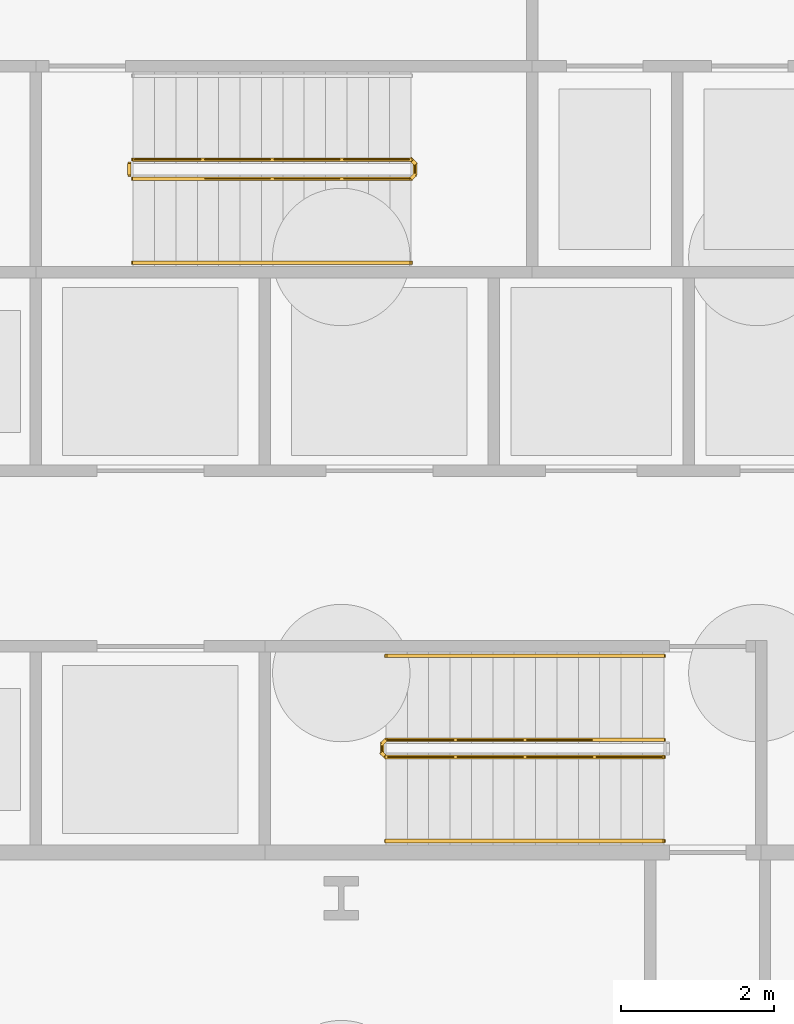
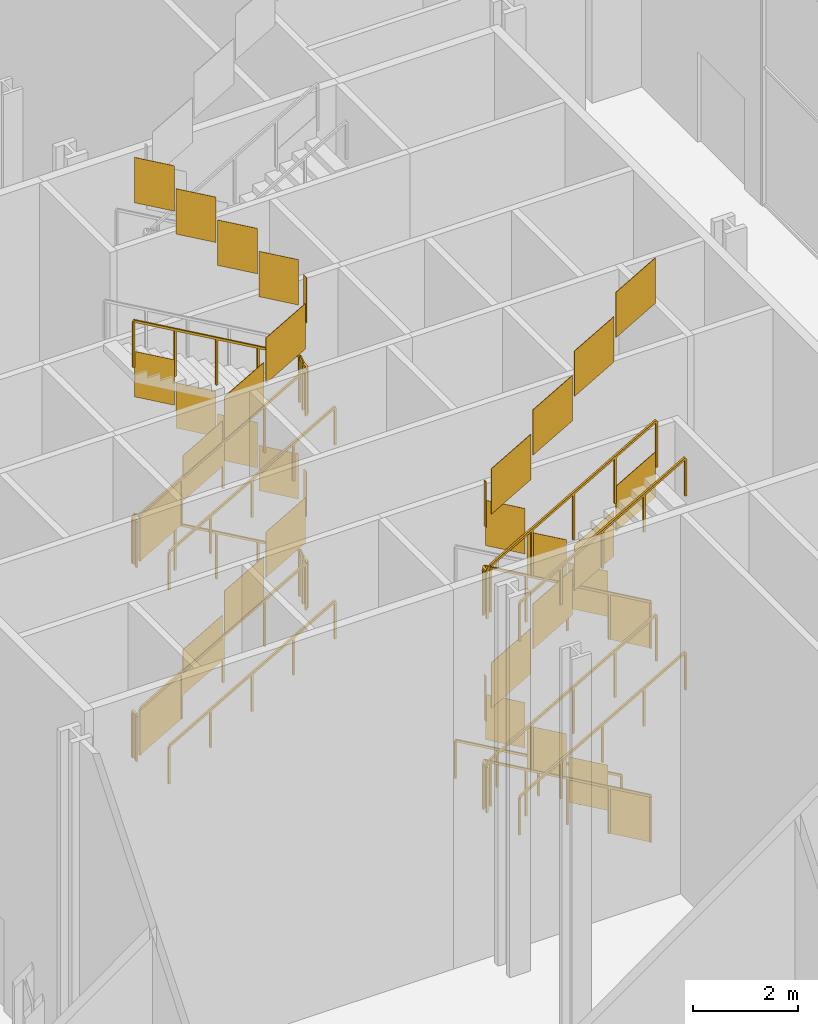
# One storey, part 31 of 38: 11 railings.
"""IFC4 building model written with IfcOpenShell, lengths in metres."""

from ifc_helpers import new_model, si_unit, direction, frame, origin, origin_2d, place, context, subcontext, project, spatial, polyline, rectangle, outline, extrude, material, type_object, element, save


model = new_model("IFC4")

# Units and contexts
model_context = context("Model", 3, precision=1e-05, world=origin(), true_north=direction((0.0, 1.0)))
body_context = subcontext(model_context, "Body", "Model", "MODEL_VIEW")
ifc_project = project(units=[si_unit("LENGTHUNIT", "METRE"), si_unit("AREAUNIT", "SQUARE_METRE"), si_unit("VOLUMEUNIT", "CUBIC_METRE"), si_unit("PLANEANGLEUNIT", "RADIAN"), si_unit("MASSUNIT", "GRAM", prefix="KILO")], contexts=[model_context])

# Site, building, storey
site_placement = place(None, origin())
site = spatial("IfcSite", under=ifc_project, at=site_placement, CompositionType="ELEMENT")
building_placement = place(site_placement, origin())
building = spatial("IfcBuilding", under=site, at=building_placement, Name="Cairn Pilgrim Tower", CompositionType="ELEMENT")
storey_placement = place(building_placement, origin())
storey = spatial("IfcBuildingStorey", under=building, at=storey_placement, Name="L00", CompositionType="ELEMENT", Elevation=0.0)

# Railings
ifc_material = material(Name="Painted steel", Category="steel")
railing_type_1 = type_object("IfcRailingType", Name="STAIR GUARD 1100", PredefinedType="GUARDRAIL", material=ifc_material)
railing_1_placement = place(storey_placement, frame((11.425048828125, -3.925048828125, 0.16064453125)))
element("IfcRailing", 1, at=railing_1_placement, inside=storey, type_object=railing_type_1, Name="L00 ST-A stair guard 1", PredefinedType="GUARDRAIL", context=body_context, shape_type="SweptSolid", body=[
    extrude(rectangle(XDim=0.048095703125, YDim=0.048095703125, at=origin_2d()), frame((0.0, 0.0, 1.076171875), z_axis=(-0.867289372828, 0.0, 0.497804322781), x_axis=(0.0, -1.0, 0.0)), (0.0, 0.0, 1.0), 4.197021484375),
    extrude(rectangle(XDim=0.048095703125, YDim=0.048095703125, at=origin_2d()), frame((-3.64013671875, 0.0, 3.16552734375), z_axis=(-0.705375805398, -0.708833529934, 0.0), x_axis=(0.708833529934, -0.705375805398, 0.0)), (0.0, 0.0, 1.0), 0.070556640625),
    extrude(rectangle(XDim=0.048095703125, YDim=0.048095703125, at=origin_2d()), frame((-3.68994140625, -0.050048828125, 3.16552734375), z_axis=(0.0, -1.0, 0.0), x_axis=(1.0, 0.0, 0.0)), (0.0, 0.0, 1.0), 0.125),
    extrude(rectangle(XDim=0.048095703125, YDim=0.048095703125, at=origin_2d()), frame((-3.68994140625, -0.175048828125, 3.16552734375), z_axis=(0.283937562652, -0.283937562652, 0.915837824634), x_axis=(0.707106781187, 0.707106781187, 0.0)), (0.0, 0.0, 1.0), 0.17529296875),
    extrude(rectangle(XDim=0.048095703125, YDim=0.048095703125, at=origin_2d()), frame((-3.64013671875, -0.224853515625, 3.326171875), z_axis=(0.867289372828, 0.0, 0.497804322781), x_axis=(0.0, 1.0, 0.0)), (0.0, 0.0, 1.0), 4.197021484375),
    extrude(rectangle(XDim=0.0419921875, YDim=0.0419921875, at=origin_2d()), origin(), (0.0, 0.0, 1.0), 1.052001953125),
    extrude(rectangle(XDim=0.0419921875, YDim=0.0419921875, at=origin_2d()), frame((-0.91015625, 0.0, 0.5224609375)), (0.0, 0.0, 1.0), 1.052001953125),
    extrude(rectangle(XDim=0.0419921875, YDim=0.0419921875, at=origin_2d()), frame((-1.820068359375, 0.0, 1.044677734375)), (0.0, 0.0, 1.0), 1.052001953125),
    extrude(rectangle(XDim=0.0419921875, YDim=0.0419921875, at=origin_2d()), frame((-2.72998046875, 0.0, 1.56689453125)), (0.0, 0.0, 1.0), 1.052001953125),
    extrude(rectangle(XDim=0.0419921875, YDim=0.0419921875, at=origin_2d()), frame((-3.64013671875, 0.0, 2.08935546875)), (0.0, 0.0, 1.0), 1.052001953125),
    extrude(rectangle(XDim=0.0419921875, YDim=0.0419921875, at=origin_2d()), frame((-3.68994140625, -0.050048828125, 2.08935546875)), (0.0, 0.0, 1.0), 1.052001953125),
    extrude(rectangle(XDim=0.0419921875, YDim=0.0419921875, at=origin_2d()), frame((-3.68994140625, -0.175048828125, 2.08935546875)), (0.0, 0.0, 1.0), 1.052001953125),
    extrude(rectangle(XDim=0.0419921875, YDim=0.0419921875, at=origin_2d()), frame((-3.64013671875, -0.224853515625, 2.25)), (0.0, 0.0, 1.0), 1.052001953125),
    extrude(rectangle(XDim=0.0419921875, YDim=0.0419921875, at=origin_2d()), frame((-2.72998046875, -0.224853515625, 2.7724609375)), (0.0, 0.0, 1.0), 1.052001953125),
    extrude(rectangle(XDim=0.0419921875, YDim=0.0419921875, at=origin_2d()), frame((-1.820068359375, -0.224853515625, 3.294677734375)), (0.0, 0.0, 1.0), 1.052001953125),
    extrude(rectangle(XDim=0.0419921875, YDim=0.0419921875, at=origin_2d()), frame((-0.91015625, -0.224853515625, 3.81689453125)), (0.0, 0.0, 1.0), 1.052001953125),
    extrude(rectangle(XDim=0.0419921875, YDim=0.0419921875, at=origin_2d()), frame((0.0, -0.224853515625, 4.33935546875)), (0.0, 0.0, 1.0), 1.052001953125),
    extrude(outline(polyline([(0.02099609375, 0.011962890625), (0.88916015625, 0.51025390625), (0.88916015625, 1.562255859375), (0.02099609375, 1.06396484375), (0.02099609375, 0.011962890625)])), frame((0.0, -0.005859375, 0.0), z_axis=(0.0, 1.0, 0.0), x_axis=(-1.0, 0.0, 0.0)), (0.0, 0.0, 1.0), 0.011962890625),
    extrude(outline(polyline([(0.02099609375, 0.534423828125), (0.88916015625, 1.03271484375), (0.88916015625, 2.084716796875), (0.02099609375, 1.58642578125), (0.02099609375, 0.534423828125)])), frame((-0.91015625, -0.005859375, 0.5224609375), z_axis=(0.0, 1.0, 0.0), x_axis=(-1.0, 0.0, 0.0)), (0.0, 0.0, 1.0), 0.011962890625),
    extrude(outline(polyline([(0.02099609375, 1.056640625), (0.88916015625, 1.554931640625), (0.88916015625, 2.60693359375), (0.02099609375, 2.108642578125), (0.02099609375, 1.056640625)])), frame((-1.820068359375, -0.005859375, 1.044677734375), z_axis=(0.0, 1.0, 0.0), x_axis=(-1.0, 0.0, 0.0)), (0.0, 0.0, 1.0), 0.011962890625),
    extrude(outline(polyline([(0.02099609375, 1.5791015625), (0.88916015625, 2.077392578125), (0.88916015625, 3.12939453125), (0.02099609375, 2.631103515625), (0.02099609375, 1.5791015625)])), frame((-2.72998046875, -0.005859375, 1.56689453125), z_axis=(0.0, 1.0, 0.0), x_axis=(-1.0, 0.0, 0.0)), (0.0, 0.0, 1.0), 0.011962890625),
    extrude(outline(polyline([(0.02099609375, 2.08935546875), (0.10400390625, 2.08935546875), (0.10400390625, 3.141357421875), (0.02099609375, 3.141357421875), (0.02099609375, 2.08935546875)])), frame((-3.68408203125, -0.050048828125, 2.08935546875), z_axis=(-1.0, 0.0, 0.0), x_axis=(0.0, -1.0, 0.0)), (0.0, 0.0, 1.0), 0.011962890625),
    extrude(outline(polyline([(0.02099609375, 2.261962890625), (0.88916015625, 2.76025390625), (0.88916015625, 3.812255859375), (0.02099609375, 3.31396484375), (0.02099609375, 2.261962890625)])), frame((-3.64013671875, -0.21875, 2.25), z_axis=(0.0, -1.0, 0.0), x_axis=(1.0, 0.0, 0.0)), (0.0, 0.0, 1.0), 0.011962890625),
    extrude(outline(polyline([(0.02099609375, 2.784423828125), (0.88916015625, 3.28271484375), (0.88916015625, 4.334716796875), (0.02099609375, 3.83642578125), (0.02099609375, 2.784423828125)])), frame((-2.72998046875, -0.21875, 2.7724609375), z_axis=(0.0, -1.0, 0.0), x_axis=(1.0, 0.0, 0.0)), (0.0, 0.0, 1.0), 0.011962890625),
    extrude(outline(polyline([(0.02099609375, 3.306640625), (0.88916015625, 3.804931640625), (0.88916015625, 4.85693359375), (0.02099609375, 4.358642578125), (0.02099609375, 3.306640625)])), frame((-1.820068359375, -0.21875, 3.294677734375), z_axis=(0.0, -1.0, 0.0), x_axis=(1.0, 0.0, 0.0)), (0.0, 0.0, 1.0), 0.011962890625),
    extrude(outline(polyline([(0.02099609375, 3.8291015625), (0.88916015625, 4.327392578125), (0.88916015625, 5.37939453125), (0.02099609375, 4.881103515625), (0.02099609375, 3.8291015625)])), frame((-0.91015625, -0.21875, 3.81689453125), z_axis=(0.0, -1.0, 0.0), x_axis=(1.0, 0.0, 0.0)), (0.0, 0.0, 1.0), 0.011962890625),
])
railing_2_placement = place(storey_placement, frame((11.425048828125, -3.925048828125, 4.66064453125)))
element("IfcRailing", 2, at=railing_2_placement, inside=storey, type_object=railing_type_1, Name="L00 ST-A stair guard 3", PredefinedType="GUARDRAIL", context=body_context, shape_type="SweptSolid", body=[
    extrude(rectangle(XDim=0.048095703125, YDim=0.048095703125, at=origin_2d()), frame((0.0, 0.0, 1.076171875), z_axis=(-0.867289372828, 0.0, 0.497804322781), x_axis=(0.0, -1.0, 0.0)), (0.0, 0.0, 1.0), 4.197021484375),
    extrude(rectangle(XDim=0.048095703125, YDim=0.048095703125, at=origin_2d()), frame((-3.64013671875, 0.0, 3.16552734375), z_axis=(-0.705375805398, -0.708833529934, 0.0), x_axis=(0.708833529934, -0.705375805398, 0.0)), (0.0, 0.0, 1.0), 0.070556640625),
    extrude(rectangle(XDim=0.048095703125, YDim=0.048095703125, at=origin_2d()), frame((-3.68994140625, -0.050048828125, 3.16552734375), z_axis=(0.0, -1.0, 0.0), x_axis=(1.0, 0.0, 0.0)), (0.0, 0.0, 1.0), 0.125),
    extrude(rectangle(XDim=0.048095703125, YDim=0.048095703125, at=origin_2d()), frame((-3.68994140625, -0.175048828125, 3.16552734375), z_axis=(0.283937562652, -0.283937562652, 0.915837824634), x_axis=(0.707106781187, 0.707106781187, 0.0)), (0.0, 0.0, 1.0), 0.17529296875),
    extrude(rectangle(XDim=0.048095703125, YDim=0.048095703125, at=origin_2d()), frame((-3.64013671875, -0.224853515625, 3.326171875), z_axis=(0.867289372828, 0.0, 0.497804322781), x_axis=(0.0, 1.0, 0.0)), (0.0, 0.0, 1.0), 4.197021484375),
    extrude(rectangle(XDim=0.0419921875, YDim=0.0419921875, at=origin_2d()), origin(), (0.0, 0.0, 1.0), 1.052001953125),
    extrude(rectangle(XDim=0.0419921875, YDim=0.0419921875, at=origin_2d()), frame((-0.91015625, 0.0, 0.5224609375)), (0.0, 0.0, 1.0), 1.052001953125),
    extrude(rectangle(XDim=0.0419921875, YDim=0.0419921875, at=origin_2d()), frame((-1.820068359375, 0.0, 1.044677734375)), (0.0, 0.0, 1.0), 1.052001953125),
    extrude(rectangle(XDim=0.0419921875, YDim=0.0419921875, at=origin_2d()), frame((-2.72998046875, 0.0, 1.56689453125)), (0.0, 0.0, 1.0), 1.052001953125),
    extrude(rectangle(XDim=0.0419921875, YDim=0.0419921875, at=origin_2d()), frame((-3.64013671875, 0.0, 2.08935546875)), (0.0, 0.0, 1.0), 1.052001953125),
    extrude(rectangle(XDim=0.0419921875, YDim=0.0419921875, at=origin_2d()), frame((-3.68994140625, -0.050048828125, 2.08935546875)), (0.0, 0.0, 1.0), 1.052001953125),
    extrude(rectangle(XDim=0.0419921875, YDim=0.0419921875, at=origin_2d()), frame((-3.68994140625, -0.175048828125, 2.08935546875)), (0.0, 0.0, 1.0), 1.052001953125),
    extrude(rectangle(XDim=0.0419921875, YDim=0.0419921875, at=origin_2d()), frame((-3.64013671875, -0.224853515625, 2.25)), (0.0, 0.0, 1.0), 1.052001953125),
    extrude(rectangle(XDim=0.0419921875, YDim=0.0419921875, at=origin_2d()), frame((-2.72998046875, -0.224853515625, 2.7724609375)), (0.0, 0.0, 1.0), 1.052001953125),
    extrude(rectangle(XDim=0.0419921875, YDim=0.0419921875, at=origin_2d()), frame((-1.820068359375, -0.224853515625, 3.294677734375)), (0.0, 0.0, 1.0), 1.052001953125),
    extrude(rectangle(XDim=0.0419921875, YDim=0.0419921875, at=origin_2d()), frame((-0.91015625, -0.224853515625, 3.81689453125)), (0.0, 0.0, 1.0), 1.052001953125),
    extrude(rectangle(XDim=0.0419921875, YDim=0.0419921875, at=origin_2d()), frame((0.0, -0.224853515625, 4.33935546875)), (0.0, 0.0, 1.0), 1.052001953125),
    extrude(outline(polyline([(0.02099609375, 0.011962890625), (0.88916015625, 0.51025390625), (0.88916015625, 1.562255859375), (0.02099609375, 1.06396484375), (0.02099609375, 0.011962890625)])), frame((0.0, -0.005859375, 0.0), z_axis=(0.0, 1.0, 0.0), x_axis=(-1.0, 0.0, 0.0)), (0.0, 0.0, 1.0), 0.011962890625),
    extrude(outline(polyline([(0.02099609375, 0.534423828125), (0.88916015625, 1.03271484375), (0.88916015625, 2.084716796875), (0.02099609375, 1.58642578125), (0.02099609375, 0.534423828125)])), frame((-0.91015625, -0.005859375, 0.5224609375), z_axis=(0.0, 1.0, 0.0), x_axis=(-1.0, 0.0, 0.0)), (0.0, 0.0, 1.0), 0.011962890625),
    extrude(outline(polyline([(0.02099609375, 1.056640625), (0.88916015625, 1.554931640625), (0.88916015625, 2.60693359375), (0.02099609375, 2.108642578125), (0.02099609375, 1.056640625)])), frame((-1.820068359375, -0.005859375, 1.044677734375), z_axis=(0.0, 1.0, 0.0), x_axis=(-1.0, 0.0, 0.0)), (0.0, 0.0, 1.0), 0.011962890625),
    extrude(outline(polyline([(0.02099609375, 1.5791015625), (0.88916015625, 2.077392578125), (0.88916015625, 3.12939453125), (0.02099609375, 2.631103515625), (0.02099609375, 1.5791015625)])), frame((-2.72998046875, -0.005859375, 1.56689453125), z_axis=(0.0, 1.0, 0.0), x_axis=(-1.0, 0.0, 0.0)), (0.0, 0.0, 1.0), 0.011962890625),
    extrude(outline(polyline([(0.02099609375, 2.08935546875), (0.10400390625, 2.08935546875), (0.10400390625, 3.141357421875), (0.02099609375, 3.141357421875), (0.02099609375, 2.08935546875)])), frame((-3.68408203125, -0.050048828125, 2.08935546875), z_axis=(-1.0, 0.0, 0.0), x_axis=(0.0, -1.0, 0.0)), (0.0, 0.0, 1.0), 0.011962890625),
    extrude(outline(polyline([(0.02099609375, 2.261962890625), (0.88916015625, 2.76025390625), (0.88916015625, 3.812255859375), (0.02099609375, 3.31396484375), (0.02099609375, 2.261962890625)])), frame((-3.64013671875, -0.21875, 2.25), z_axis=(0.0, -1.0, 0.0), x_axis=(1.0, 0.0, 0.0)), (0.0, 0.0, 1.0), 0.011962890625),
    extrude(outline(polyline([(0.02099609375, 2.784423828125), (0.88916015625, 3.28271484375), (0.88916015625, 4.334716796875), (0.02099609375, 3.83642578125), (0.02099609375, 2.784423828125)])), frame((-2.72998046875, -0.21875, 2.7724609375), z_axis=(0.0, -1.0, 0.0), x_axis=(1.0, 0.0, 0.0)), (0.0, 0.0, 1.0), 0.011962890625),
    extrude(outline(polyline([(0.02099609375, 3.306640625), (0.88916015625, 3.804931640625), (0.88916015625, 4.85693359375), (0.02099609375, 4.358642578125), (0.02099609375, 3.306640625)])), frame((-1.820068359375, -0.21875, 3.294677734375), z_axis=(0.0, -1.0, 0.0), x_axis=(1.0, 0.0, 0.0)), (0.0, 0.0, 1.0), 0.011962890625),
    extrude(outline(polyline([(0.02099609375, 3.8291015625), (0.88916015625, 4.327392578125), (0.88916015625, 5.37939453125), (0.02099609375, 4.881103515625), (0.02099609375, 3.8291015625)])), frame((-0.91015625, -0.21875, 3.81689453125), z_axis=(0.0, -1.0, 0.0), x_axis=(1.0, 0.0, 0.0)), (0.0, 0.0, 1.0), 0.011962890625),
])
railing_3_placement = place(storey_placement, frame((4.47509765625, 3.425048828125, 0.16064453125)))
element("IfcRailing", 3, at=railing_3_placement, inside=storey, type_object=railing_type_1, Name="L00 ST-B stair guard 1", PredefinedType="GUARDRAIL", context=body_context, shape_type="SweptSolid", body=[
    extrude(rectangle(XDim=0.048095703125, YDim=0.048095703125, at=origin_2d()), frame((0.0, 0.0, 1.076171875), z_axis=(0.8672749571, 0.0, 0.497829437445), x_axis=(0.0, 1.0, 0.0)), (0.0, 0.0, 1.0), 4.197021484375),
    extrude(rectangle(XDim=0.048095703125, YDim=0.048095703125, at=origin_2d()), frame((3.639892578125, 0.0, 3.16552734375), z_axis=(0.707106781187, 0.707106781187, 0.0), x_axis=(-0.707106781187, 0.707106781187, 0.0)), (0.0, 0.0, 1.0), 0.07080078125),
    extrude(rectangle(XDim=0.048095703125, YDim=0.048095703125, at=origin_2d()), frame((3.68994140625, 0.050048828125, 3.16552734375), z_axis=(0.0, 1.0, 0.0), x_axis=(-1.0, 0.0, 0.0)), (0.0, 0.0, 1.0), 0.14990234375),
    extrude(rectangle(XDim=0.048095703125, YDim=0.048095703125, at=origin_2d()), frame((3.68994140625, 0.199951171875, 3.16552734375), z_axis=(-0.285103605394, 0.285103605394, 0.91511303585), x_axis=(-0.707106781187, -0.707106781187, 0.0)), (0.0, 0.0, 1.0), 0.175537109375),
    extrude(rectangle(XDim=0.048095703125, YDim=0.048095703125, at=origin_2d()), frame((3.639892578125, 0.25, 3.326171875), z_axis=(-0.8672749571, 0.0, 0.497829437445), x_axis=(0.0, -1.0, 0.0)), (0.0, 0.0, 1.0), 4.197021484375),
    extrude(rectangle(XDim=0.0419921875, YDim=0.0419921875, at=origin_2d()), origin(), (0.0, 0.0, 1.0), 1.052001953125),
    extrude(rectangle(XDim=0.0419921875, YDim=0.0419921875, at=origin_2d()), frame((0.909912109375, 0.0, 0.5224609375)), (0.0, 0.0, 1.0), 1.052001953125),
    extrude(rectangle(XDim=0.0419921875, YDim=0.0419921875, at=origin_2d()), frame((1.81982421875, 0.0, 1.044677734375)), (0.0, 0.0, 1.0), 1.052001953125),
    extrude(rectangle(XDim=0.0419921875, YDim=0.0419921875, at=origin_2d()), frame((2.72998046875, 0.0, 1.56689453125)), (0.0, 0.0, 1.0), 1.052001953125),
    extrude(rectangle(XDim=0.0419921875, YDim=0.0419921875, at=origin_2d()), frame((3.639892578125, 0.0, 2.08935546875)), (0.0, 0.0, 1.0), 1.052001953125),
    extrude(rectangle(XDim=0.0419921875, YDim=0.0419921875, at=origin_2d()), frame((3.68994140625, 0.050048828125, 2.08935546875)), (0.0, 0.0, 1.0), 1.052001953125),
    extrude(rectangle(XDim=0.0419921875, YDim=0.0419921875, at=origin_2d()), frame((3.68994140625, 0.199951171875, 2.08935546875)), (0.0, 0.0, 1.0), 1.052001953125),
    extrude(rectangle(XDim=0.0419921875, YDim=0.0419921875, at=origin_2d()), frame((3.639892578125, 0.25, 2.25)), (0.0, 0.0, 1.0), 1.052001953125),
    extrude(rectangle(XDim=0.0419921875, YDim=0.0419921875, at=origin_2d()), frame((2.72998046875, 0.25, 2.7724609375)), (0.0, 0.0, 1.0), 1.052001953125),
    extrude(rectangle(XDim=0.0419921875, YDim=0.0419921875, at=origin_2d()), frame((1.81982421875, 0.25, 3.294677734375)), (0.0, 0.0, 1.0), 1.052001953125),
    extrude(rectangle(XDim=0.0419921875, YDim=0.0419921875, at=origin_2d()), frame((0.909912109375, 0.25, 3.81689453125)), (0.0, 0.0, 1.0), 1.052001953125),
    extrude(rectangle(XDim=0.0419921875, YDim=0.0419921875, at=origin_2d()), frame((0.0, 0.25, 4.33935546875)), (0.0, 0.0, 1.0), 1.052001953125),
    extrude(outline(polyline([(0.02099609375, 0.011962890625), (0.888916015625, 0.51025390625), (0.888916015625, 1.562255859375), (0.02099609375, 1.06396484375), (0.02099609375, 0.011962890625)])), frame((0.0, 0.005859375, 0.0), z_axis=(0.0, -1.0, 0.0), x_axis=(1.0, 0.0, 0.0)), (0.0, 0.0, 1.0), 0.011962890625),
    extrude(outline(polyline([(0.02099609375, 0.534423828125), (0.888916015625, 1.03271484375), (0.888916015625, 2.084716796875), (0.02099609375, 1.58642578125), (0.02099609375, 0.534423828125)])), frame((0.909912109375, 0.005859375, 0.5224609375), z_axis=(0.0, -1.0, 0.0), x_axis=(1.0, 0.0, 0.0)), (0.0, 0.0, 1.0), 0.011962890625),
    extrude(outline(polyline([(0.02099609375, 1.056640625), (0.888916015625, 1.554931640625), (0.888916015625, 2.60693359375), (0.02099609375, 2.108642578125), (0.02099609375, 1.056640625)])), frame((1.81982421875, 0.005859375, 1.044677734375), z_axis=(0.0, -1.0, 0.0), x_axis=(1.0, 0.0, 0.0)), (0.0, 0.0, 1.0), 0.011962890625),
    extrude(outline(polyline([(0.02099609375, 1.5791015625), (0.888916015625, 2.077392578125), (0.888916015625, 3.12939453125), (0.02099609375, 2.631103515625), (0.02099609375, 1.5791015625)])), frame((2.72998046875, 0.005859375, 1.56689453125), z_axis=(0.0, -1.0, 0.0), x_axis=(1.0, 0.0, 0.0)), (0.0, 0.0, 1.0), 0.011962890625),
    extrude(outline(polyline([(0.02099609375, 2.08935546875), (0.12890625, 2.08935546875), (0.12890625, 3.141357421875), (0.02099609375, 3.141357421875), (0.02099609375, 2.08935546875)])), frame((3.68408203125, 0.050048828125, 2.08935546875), z_axis=(1.0, 0.0, 0.0), x_axis=(0.0, 1.0, 0.0)), (0.0, 0.0, 1.0), 0.011962890625),
    extrude(outline(polyline([(0.02099609375, 2.261962890625), (0.888916015625, 2.76025390625), (0.888916015625, 3.812255859375), (0.02099609375, 3.31396484375), (0.02099609375, 2.261962890625)])), frame((3.639892578125, 0.244140625, 2.25), z_axis=(0.0, 1.0, 0.0), x_axis=(-1.0, 0.0, 0.0)), (0.0, 0.0, 1.0), 0.011962890625),
    extrude(outline(polyline([(0.02099609375, 2.784423828125), (0.888916015625, 3.28271484375), (0.888916015625, 4.334716796875), (0.02099609375, 3.83642578125), (0.02099609375, 2.784423828125)])), frame((2.72998046875, 0.244140625, 2.7724609375), z_axis=(0.0, 1.0, 0.0), x_axis=(-1.0, 0.0, 0.0)), (0.0, 0.0, 1.0), 0.011962890625),
    extrude(outline(polyline([(0.02099609375, 3.306640625), (0.888916015625, 3.804931640625), (0.888916015625, 4.85693359375), (0.02099609375, 4.358642578125), (0.02099609375, 3.306640625)])), frame((1.81982421875, 0.244140625, 3.294677734375), z_axis=(0.0, 1.0, 0.0), x_axis=(-1.0, 0.0, 0.0)), (0.0, 0.0, 1.0), 0.011962890625),
    extrude(outline(polyline([(0.02099609375, 3.8291015625), (0.888916015625, 4.327392578125), (0.888916015625, 5.37939453125), (0.02099609375, 4.881103515625), (0.02099609375, 3.8291015625)])), frame((0.909912109375, 0.244140625, 3.81689453125), z_axis=(0.0, 1.0, 0.0), x_axis=(-1.0, 0.0, 0.0)), (0.0, 0.0, 1.0), 0.011962890625),
])
railing_4_placement = place(storey_placement, frame((4.425048828125, 3.47509765625, 4.5)))
element("IfcRailing", 4, at=railing_4_placement, inside=storey, type_object=railing_type_1, Name="L00 ST-B stair guard 2", PredefinedType="GUARDRAIL", context=body_context, shape_type="SweptSolid", body=[
    extrude(rectangle(XDim=0.048095703125, YDim=0.048095703125, at=origin_2d()), frame((0.0, 0.0, 1.076171875), z_axis=(0.0, 1.0, 0.0), x_axis=(-1.0, 0.0, 0.0)), (0.0, 0.0, 1.0), 0.14990234375),
    extrude(rectangle(XDim=0.0419921875, YDim=0.0419921875, at=origin_2d()), origin(), (0.0, 0.0, 1.0), 1.052001953125),
    extrude(rectangle(XDim=0.0419921875, YDim=0.0419921875, at=origin_2d()), frame((0.0, 0.14990234375, 0.0)), (0.0, 0.0, 1.0), 1.052001953125),
    extrude(outline(polyline([(0.02099609375, 0.0), (0.12890625, 0.0), (0.12890625, 1.052001953125), (0.02099609375, 1.052001953125), (0.02099609375, 0.0)])), frame((-0.005859375, 0.0, 0.0), z_axis=(1.0, 0.0, 0.0), x_axis=(0.0, 1.0, 0.0)), (0.0, 0.0, 1.0), 0.011962890625),
])
railing_5_placement = place(storey_placement, frame((4.47509765625, 3.425048828125, 4.66064453125)))
element("IfcRailing", 5, at=railing_5_placement, inside=storey, type_object=railing_type_1, Name="L00 ST-B stair guard 3", PredefinedType="GUARDRAIL", context=body_context, shape_type="SweptSolid", body=[
    extrude(rectangle(XDim=0.048095703125, YDim=0.048095703125, at=origin_2d()), frame((0.0, 0.0, 1.076171875), z_axis=(0.8672749571, 0.0, 0.497829437445), x_axis=(0.0, 1.0, 0.0)), (0.0, 0.0, 1.0), 4.197021484375),
    extrude(rectangle(XDim=0.048095703125, YDim=0.048095703125, at=origin_2d()), frame((3.639892578125, 0.0, 3.16552734375), z_axis=(0.707106781187, 0.707106781187, 0.0), x_axis=(-0.707106781187, 0.707106781187, 0.0)), (0.0, 0.0, 1.0), 0.07080078125),
    extrude(rectangle(XDim=0.048095703125, YDim=0.048095703125, at=origin_2d()), frame((3.68994140625, 0.050048828125, 3.16552734375), z_axis=(0.0, 1.0, 0.0), x_axis=(-1.0, 0.0, 0.0)), (0.0, 0.0, 1.0), 0.14990234375),
    extrude(rectangle(XDim=0.048095703125, YDim=0.048095703125, at=origin_2d()), frame((3.68994140625, 0.199951171875, 3.16552734375), z_axis=(-0.285103605394, 0.285103605394, 0.91511303585), x_axis=(-0.707106781187, -0.707106781187, 0.0)), (0.0, 0.0, 1.0), 0.175537109375),
    extrude(rectangle(XDim=0.048095703125, YDim=0.048095703125, at=origin_2d()), frame((3.639892578125, 0.25, 3.326171875), z_axis=(-0.8672749571, 0.0, 0.497829437445), x_axis=(0.0, -1.0, 0.0)), (0.0, 0.0, 1.0), 4.197021484375),
    extrude(rectangle(XDim=0.0419921875, YDim=0.0419921875, at=origin_2d()), origin(), (0.0, 0.0, 1.0), 1.052001953125),
    extrude(rectangle(XDim=0.0419921875, YDim=0.0419921875, at=origin_2d()), frame((0.909912109375, 0.0, 0.5224609375)), (0.0, 0.0, 1.0), 1.052001953125),
    extrude(rectangle(XDim=0.0419921875, YDim=0.0419921875, at=origin_2d()), frame((1.81982421875, 0.0, 1.044677734375)), (0.0, 0.0, 1.0), 1.052001953125),
    extrude(rectangle(XDim=0.0419921875, YDim=0.0419921875, at=origin_2d()), frame((2.72998046875, 0.0, 1.56689453125)), (0.0, 0.0, 1.0), 1.052001953125),
    extrude(rectangle(XDim=0.0419921875, YDim=0.0419921875, at=origin_2d()), frame((3.639892578125, 0.0, 2.08935546875)), (0.0, 0.0, 1.0), 1.052001953125),
    extrude(rectangle(XDim=0.0419921875, YDim=0.0419921875, at=origin_2d()), frame((3.68994140625, 0.050048828125, 2.08935546875)), (0.0, 0.0, 1.0), 1.052001953125),
    extrude(rectangle(XDim=0.0419921875, YDim=0.0419921875, at=origin_2d()), frame((3.68994140625, 0.199951171875, 2.08935546875)), (0.0, 0.0, 1.0), 1.052001953125),
    extrude(rectangle(XDim=0.0419921875, YDim=0.0419921875, at=origin_2d()), frame((3.639892578125, 0.25, 2.25)), (0.0, 0.0, 1.0), 1.052001953125),
    extrude(rectangle(XDim=0.0419921875, YDim=0.0419921875, at=origin_2d()), frame((2.72998046875, 0.25, 2.7724609375)), (0.0, 0.0, 1.0), 1.052001953125),
    extrude(rectangle(XDim=0.0419921875, YDim=0.0419921875, at=origin_2d()), frame((1.81982421875, 0.25, 3.294677734375)), (0.0, 0.0, 1.0), 1.052001953125),
    extrude(rectangle(XDim=0.0419921875, YDim=0.0419921875, at=origin_2d()), frame((0.909912109375, 0.25, 3.81689453125)), (0.0, 0.0, 1.0), 1.052001953125),
    extrude(rectangle(XDim=0.0419921875, YDim=0.0419921875, at=origin_2d()), frame((0.0, 0.25, 4.33935546875)), (0.0, 0.0, 1.0), 1.052001953125),
    extrude(outline(polyline([(0.02099609375, 0.011962890625), (0.888916015625, 0.51025390625), (0.888916015625, 1.562255859375), (0.02099609375, 1.06396484375), (0.02099609375, 0.011962890625)])), frame((0.0, 0.005859375, 0.0), z_axis=(0.0, -1.0, 0.0), x_axis=(1.0, 0.0, 0.0)), (0.0, 0.0, 1.0), 0.011962890625),
    extrude(outline(polyline([(0.02099609375, 0.534423828125), (0.888916015625, 1.03271484375), (0.888916015625, 2.084716796875), (0.02099609375, 1.58642578125), (0.02099609375, 0.534423828125)])), frame((0.909912109375, 0.005859375, 0.5224609375), z_axis=(0.0, -1.0, 0.0), x_axis=(1.0, 0.0, 0.0)), (0.0, 0.0, 1.0), 0.011962890625),
    extrude(outline(polyline([(0.02099609375, 1.056640625), (0.888916015625, 1.554931640625), (0.888916015625, 2.60693359375), (0.02099609375, 2.108642578125), (0.02099609375, 1.056640625)])), frame((1.81982421875, 0.005859375, 1.044677734375), z_axis=(0.0, -1.0, 0.0), x_axis=(1.0, 0.0, 0.0)), (0.0, 0.0, 1.0), 0.011962890625),
    extrude(outline(polyline([(0.02099609375, 1.5791015625), (0.888916015625, 2.077392578125), (0.888916015625, 3.12939453125), (0.02099609375, 2.631103515625), (0.02099609375, 1.5791015625)])), frame((2.72998046875, 0.005859375, 1.56689453125), z_axis=(0.0, -1.0, 0.0), x_axis=(1.0, 0.0, 0.0)), (0.0, 0.0, 1.0), 0.011962890625),
    extrude(outline(polyline([(0.02099609375, 2.08935546875), (0.12890625, 2.08935546875), (0.12890625, 3.141357421875), (0.02099609375, 3.141357421875), (0.02099609375, 2.08935546875)])), frame((3.68408203125, 0.050048828125, 2.08935546875), z_axis=(1.0, 0.0, 0.0), x_axis=(0.0, 1.0, 0.0)), (0.0, 0.0, 1.0), 0.011962890625),
    extrude(outline(polyline([(0.02099609375, 2.261962890625), (0.888916015625, 2.76025390625), (0.888916015625, 3.812255859375), (0.02099609375, 3.31396484375), (0.02099609375, 2.261962890625)])), frame((3.639892578125, 0.244140625, 2.25), z_axis=(0.0, 1.0, 0.0), x_axis=(-1.0, 0.0, 0.0)), (0.0, 0.0, 1.0), 0.011962890625),
    extrude(outline(polyline([(0.02099609375, 2.784423828125), (0.888916015625, 3.28271484375), (0.888916015625, 4.334716796875), (0.02099609375, 3.83642578125), (0.02099609375, 2.784423828125)])), frame((2.72998046875, 0.244140625, 2.7724609375), z_axis=(0.0, 1.0, 0.0), x_axis=(-1.0, 0.0, 0.0)), (0.0, 0.0, 1.0), 0.011962890625),
    extrude(outline(polyline([(0.02099609375, 3.306640625), (0.888916015625, 3.804931640625), (0.888916015625, 4.85693359375), (0.02099609375, 4.358642578125), (0.02099609375, 3.306640625)])), frame((1.81982421875, 0.244140625, 3.294677734375), z_axis=(0.0, 1.0, 0.0), x_axis=(-1.0, 0.0, 0.0)), (0.0, 0.0, 1.0), 0.011962890625),
    extrude(outline(polyline([(0.02099609375, 3.8291015625), (0.888916015625, 4.327392578125), (0.888916015625, 5.37939453125), (0.02099609375, 4.881103515625), (0.02099609375, 3.8291015625)])), frame((0.909912109375, 0.244140625, 3.81689453125), z_axis=(0.0, 1.0, 0.0), x_axis=(-1.0, 0.0, 0.0)), (0.0, 0.0, 1.0), 0.011962890625),
])
railing_6_placement = place(storey_placement, frame((4.425048828125, 3.47509765625, 0.0)))
element("IfcRailing", 6, at=railing_6_placement, inside=storey, type_object=railing_type_1, Name="L00 ST-B stair guard 4", PredefinedType="GUARDRAIL", context=body_context, shape_type="SweptSolid", body=[
    extrude(rectangle(XDim=0.048095703125, YDim=0.048095703125, at=origin_2d()), frame((0.0, 0.0, 1.076171875), z_axis=(0.0, 1.0, 0.0), x_axis=(-1.0, 0.0, 0.0)), (0.0, 0.0, 1.0), 0.14990234375),
    extrude(rectangle(XDim=0.0419921875, YDim=0.0419921875, at=origin_2d()), origin(), (0.0, 0.0, 1.0), 1.052001953125),
    extrude(rectangle(XDim=0.0419921875, YDim=0.0419921875, at=origin_2d()), frame((0.0, 0.14990234375, 0.0)), (0.0, 0.0, 1.0), 1.052001953125),
    extrude(outline(polyline([(0.02099609375, 0.0), (0.12890625, 0.0), (0.12890625, 1.052001953125), (0.02099609375, 1.052001953125), (0.02099609375, 0.0)])), frame((-0.005859375, 0.0, 0.0), z_axis=(1.0, 0.0, 0.0), x_axis=(0.0, 1.0, 0.0)), (0.0, 0.0, 1.0), 0.011962890625),
])
railing_type_2 = type_object("IfcRailingType", Name="STAIR HANDRAIL 900", PredefinedType="HANDRAIL", material=ifc_material)
railing_7_placement = place(storey_placement, frame((11.425048828125, -2.824951171875, 0.16064453125)))
element("IfcRailing", 7, at=railing_7_placement, inside=storey, type_object=railing_type_2, Name="L00 ST-A stair handrail 1", PredefinedType="HANDRAIL", context=body_context, shape_type="SweptSolid", body=[
    extrude(rectangle(XDim=0.048095703125, YDim=0.048095703125, at=origin_2d()), frame((0.0, 0.0, 0.8759765625), z_axis=(-0.867289372828, 0.0, 0.497804322781), x_axis=(0.0, -1.0, 0.0)), (0.0, 0.0, 1.0), 4.197021484375),
    extrude(rectangle(XDim=0.0419921875, YDim=0.0419921875, at=origin_2d()), origin(), (0.0, 0.0, 1.0), 0.851806640625),
    extrude(rectangle(XDim=0.0419921875, YDim=0.0419921875, at=origin_2d()), frame((-0.91015625, 0.0, 0.5224609375)), (0.0, 0.0, 1.0), 0.851806640625),
    extrude(rectangle(XDim=0.0419921875, YDim=0.0419921875, at=origin_2d()), frame((-1.820068359375, 0.0, 1.044677734375)), (0.0, 0.0, 1.0), 0.851806640625),
    extrude(rectangle(XDim=0.0419921875, YDim=0.0419921875, at=origin_2d()), frame((-2.72998046875, 0.0, 1.56689453125)), (0.0, 0.0, 1.0), 0.851806640625),
    extrude(rectangle(XDim=0.0419921875, YDim=0.0419921875, at=origin_2d()), frame((-3.64013671875, 0.0, 2.08935546875)), (0.0, 0.0, 1.0), 0.851806640625),
])
for number, where, name in (
    (8, (7.784912109375, -5.25, 2.41064453125), "L00 ST-A stair handrail 2"),
    (9, (7.784912109375, -5.25, 6.91064453125), "L00 ST-A stair handrail 4"),
):
    element("IfcRailing", number, at=place(storey_placement, frame(where)), inside=storey, type_object=railing_type_2, Name=name, PredefinedType="HANDRAIL", context=body_context, shape_type="SweptSolid", body=[
        extrude(rectangle(XDim=0.048095703125, YDim=0.048095703125, at=origin_2d()), frame((0.0, 0.0, 0.8759765625), z_axis=(0.867289372828, 0.0, 0.497804322781), x_axis=(0.0, 1.0, 0.0)), (0.0, 0.0, 1.0), 4.197021484375),
        extrude(rectangle(XDim=0.0419921875, YDim=0.0419921875, at=origin_2d()), origin(), (0.0, 0.0, 1.0), 0.851806640625),
        extrude(rectangle(XDim=0.0419921875, YDim=0.0419921875, at=origin_2d()), frame((0.91015625, 0.0, 0.5224609375)), (0.0, 0.0, 1.0), 0.851806640625),
        extrude(rectangle(XDim=0.0419921875, YDim=0.0419921875, at=origin_2d()), frame((1.820068359375, 0.0, 1.044677734375)), (0.0, 0.0, 1.0), 0.851806640625),
        extrude(rectangle(XDim=0.0419921875, YDim=0.0419921875, at=origin_2d()), frame((2.72998046875, 0.0, 1.56689453125)), (0.0, 0.0, 1.0), 0.851806640625),
        extrude(rectangle(XDim=0.0419921875, YDim=0.0419921875, at=origin_2d()), frame((3.64013671875, 0.0, 2.08935546875)), (0.0, 0.0, 1.0), 0.851806640625),
    ])
for number, where, name in (
    (10, (4.47509765625, 2.324951171875, 0.16064453125), "L00 ST-B stair handrail 1"),
    (11, (4.47509765625, 2.324951171875, 4.66064453125), "L00 ST-B stair handrail 3"),
):
    element("IfcRailing", number, at=place(storey_placement, frame(where)), inside=storey, type_object=railing_type_2, Name=name, PredefinedType="HANDRAIL", context=body_context, shape_type="SweptSolid", body=[
        extrude(rectangle(XDim=0.048095703125, YDim=0.048095703125, at=origin_2d()), frame((0.0, 0.0, 0.8759765625), z_axis=(0.8672749571, 0.0, 0.497829437445), x_axis=(0.0, 1.0, 0.0)), (0.0, 0.0, 1.0), 4.197021484375),
        extrude(rectangle(XDim=0.0419921875, YDim=0.0419921875, at=origin_2d()), origin(), (0.0, 0.0, 1.0), 0.851806640625),
        extrude(rectangle(XDim=0.0419921875, YDim=0.0419921875, at=origin_2d()), frame((0.909912109375, 0.0, 0.5224609375)), (0.0, 0.0, 1.0), 0.851806640625),
        extrude(rectangle(XDim=0.0419921875, YDim=0.0419921875, at=origin_2d()), frame((1.81982421875, 0.0, 1.044677734375)), (0.0, 0.0, 1.0), 0.851806640625),
        extrude(rectangle(XDim=0.0419921875, YDim=0.0419921875, at=origin_2d()), frame((2.72998046875, 0.0, 1.56689453125)), (0.0, 0.0, 1.0), 0.851806640625),
        extrude(rectangle(XDim=0.0419921875, YDim=0.0419921875, at=origin_2d()), frame((3.639892578125, 0.0, 2.08935546875)), (0.0, 0.0, 1.0), 0.851806640625),
    ])

save(model, "model.ifc")
